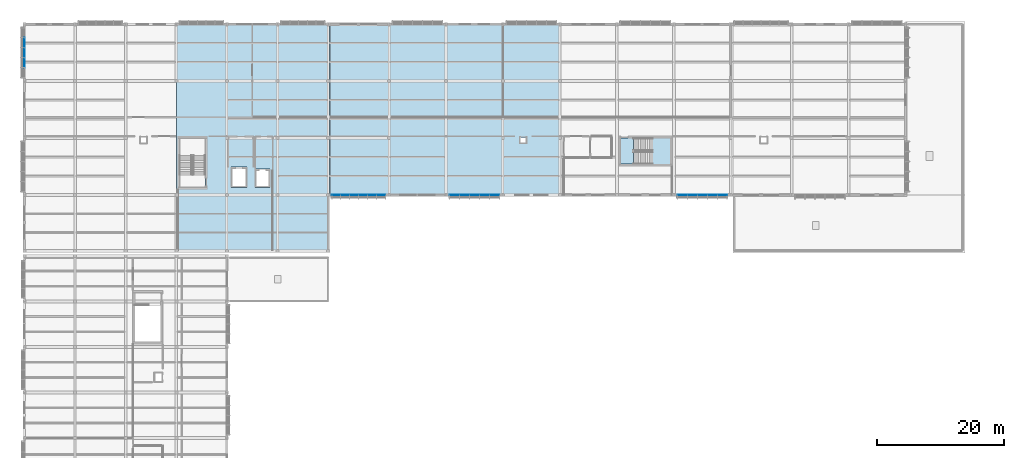
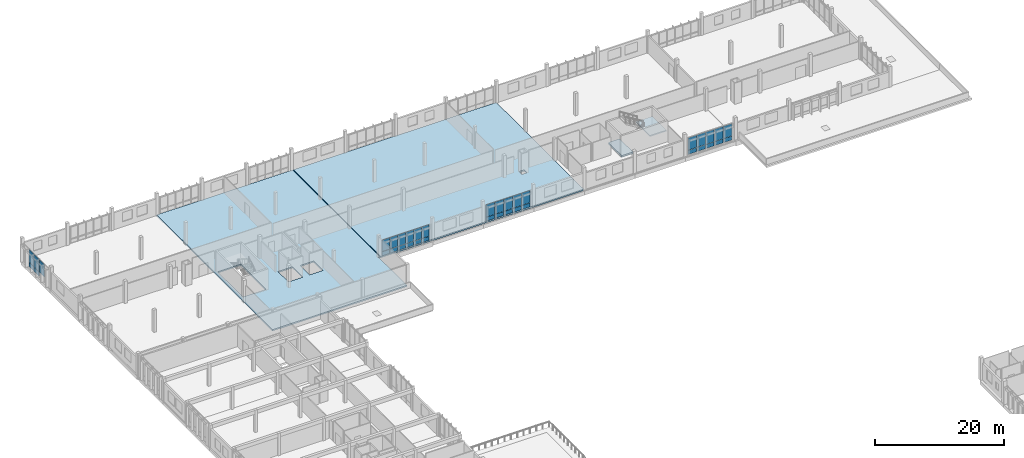
# One storey, part 81 of 107: 37 plates, 4 slabs, 5 elements without a shape of their own.
"""IFC4 building model written with IfcOpenShell, lengths in metres."""

from ifc_helpers import new_model, si_unit, direction, frame, origin, origin_2d, place, context, subcontext, project, spatial, polyline, rectangle, outline, extrude, material, layer, layer_set, type_object, element, aggregate, save


model = new_model("IFC4")

# Units and contexts
model_context = context("Model", 3, precision=1e-05, world=origin(), true_north=direction((0.0, 1.0)))
body_context = subcontext(model_context, "Body", "Model", "MODEL_VIEW")
ifc_project = project(units=[si_unit("LENGTHUNIT", "METRE"), si_unit("AREAUNIT", "SQUARE_METRE"), si_unit("VOLUMEUNIT", "CUBIC_METRE"), si_unit("PLANEANGLEUNIT", "RADIAN"), si_unit("MASSUNIT", "GRAM", prefix="KILO")], contexts=[model_context])

# Site, building, storey
site_placement = place(None, origin())
site = spatial("IfcSite", under=ifc_project, at=site_placement, CompositionType="ELEMENT")
building_placement = place(site_placement, origin())
building = spatial("IfcBuilding", under=site, at=building_placement, Name="Chiffa Square Polytechnic", CompositionType="ELEMENT")
storey_placement = place(building_placement, frame((0.0, 0.0, 13.800048828125)))
storey = spatial("IfcBuildingStorey", under=building, at=storey_placement, Name="L03", CompositionType="ELEMENT", Elevation=13.800048828125)

# Curtain wall, plates
ifc_material_1 = material(Name="Aluminium EN AW-6060 T66 and glulam shading", Category="wood")
curtain_wall_type_1 = type_object("IfcCurtainWallType", Name="CW-VERT-300X380", PredefinedType="USERDEFINED", material=ifc_material_1)
curtain_wall_1_placement = place(storey_placement, origin())
curtain_wall_1 = element("IfcCurtainWall", 1, at=curtain_wall_1_placement, inside=storey, type_object=curtain_wall_type_1, Name="Curtain wall CW-V5-L03-227", ObjectType="CURTAIN WALL", PredefinedType="USERDEFINED")
ifc_material_2 = material(Name="Double glazing", Category="glass")
ifc_layer_1 = layer(ifc_material_2, 0.0400390625, Name="Double glazing")
ifc_layer_set_1 = layer_set([ifc_layer_1], Name="Double glazing")
plate_type_1 = type_object("IfcPlateType", Name="CWP-GLZ-140X130", PredefinedType="CURTAIN_PANEL", material=ifc_layer_set_1)
plate_1_placement = place(storey_placement, frame((103.943115234375, 103.800048828125, 0.84033203125), z_axis=(0.0, 0.0, 1.0), x_axis=(1.0, 0.0, 0.0)))
plate_1 = element("IfcPlate", 2, at=plate_1_placement, type_object=plate_type_1, Name="Glazed curtain panel CW-V5-L03-227-PN01", PredefinedType="CURTAIN_PANEL", context=body_context, shape_type="SweptSolid", body=[
    extrude(rectangle(XDim=1.510009765625, YDim=0.0400390625, at=origin_2d()), origin(), (0.0, 0.0, 1.0), 2.304931640625),
])
plate_2_placement = place(storey_placement, frame((105.51611328125, 103.800048828125, 0.84033203125), z_axis=(0.0, 0.0, 1.0), x_axis=(1.0, 0.0, 0.0)))
plate_2 = element("IfcPlate", 3, at=plate_2_placement, type_object=plate_type_1, Name="Glazed curtain panel CW-V5-L03-227-PN02", PredefinedType="CURTAIN_PANEL", context=body_context, shape_type="SweptSolid", body=[
    extrude(rectangle(XDim=1.531982421875, YDim=0.0400390625, at=origin_2d()), origin(), (0.0, 0.0, 1.0), 2.304931640625),
])
plate_3_placement = place(storey_placement, frame((107.10009765625, 103.800048828125, 0.84033203125), z_axis=(0.0, 0.0, 1.0), x_axis=(1.0, 0.0, 0.0)))
plate_3 = element("IfcPlate", 4, at=plate_3_placement, type_object=plate_type_1, Name="Glazed curtain panel CW-V5-L03-227-PN03", PredefinedType="CURTAIN_PANEL", context=body_context, shape_type="SweptSolid", body=[
    extrude(rectangle(XDim=1.531982421875, YDim=0.0400390625, at=origin_2d()), origin(), (0.0, 0.0, 1.0), 2.304931640625),
])
plate_4_placement = place(storey_placement, frame((108.68408203125, 103.800048828125, 0.84033203125), z_axis=(0.0, 0.0, 1.0), x_axis=(1.0, 0.0, 0.0)))
plate_4 = element("IfcPlate", 5, at=plate_4_placement, type_object=plate_type_1, Name="Glazed curtain panel CW-V5-L03-227-PN04", PredefinedType="CURTAIN_PANEL", context=body_context, shape_type="SweptSolid", body=[
    extrude(rectangle(XDim=1.531982421875, YDim=0.0400390625, at=origin_2d()), origin(), (0.0, 0.0, 1.0), 2.304931640625),
])
plate_5_placement = place(storey_placement, frame((110.257080078125, 103.800048828125, 0.84033203125), z_axis=(0.0, 0.0, 1.0), x_axis=(1.0, 0.0, 0.0)))
plate_5 = element("IfcPlate", 6, at=plate_5_placement, type_object=plate_type_1, Name="Glazed curtain panel CW-V5-L03-227-PN05", PredefinedType="CURTAIN_PANEL", context=body_context, shape_type="SweptSolid", body=[
    extrude(rectangle(XDim=1.510009765625, YDim=0.0400390625, at=origin_2d()), origin(), (0.0, 0.0, 1.0), 2.304931640625),
])

curtain_wall_type_2 = type_object("IfcCurtainWallType", Name="CW-VERT-450X380", PredefinedType="USERDEFINED", material=ifc_material_1)
curtain_wall_2_placement = place(storey_placement, origin())
curtain_wall_2 = element("IfcCurtainWall", 7, at=curtain_wall_2_placement, inside=storey, type_object=curtain_wall_type_2, Name="Curtain wall CW-V5-L03-226", ObjectType="CURTAIN WALL", PredefinedType="USERDEFINED")
ifc_layer_2 = layer(ifc_material_2, 0.0400390625, Name="Double glazing")
ifc_layer_set_2 = layer_set([ifc_layer_2], Name="Double glazing")
plate_type_2 = type_object("IfcPlateType", Name="CWP-GLZ-144X134", PredefinedType="CURTAIN_PANEL", material=ifc_layer_set_2)
plate_6_placement = place(storey_placement, frame((67.943115234375, 103.800048828125, 0.84033203125), z_axis=(0.0, 0.0, 1.0), x_axis=(1.0, 0.0, 0.0)))
plate_6 = element("IfcPlate", 8, at=plate_6_placement, type_object=plate_type_2, Name="Glazed curtain panel CW-V5-L03-226-PN01", PredefinedType="CURTAIN_PANEL", context=body_context, shape_type="SweptSolid", body=[
    extrude(rectangle(XDim=1.510009765625, YDim=0.0400390625, at=origin_2d()), origin(), (0.0, 0.0, 1.0), 2.304931640625),
])
plate_7_placement = place(storey_placement, frame((69.51611328125, 103.800048828125, 0.84033203125), z_axis=(0.0, 0.0, 1.0), x_axis=(1.0, 0.0, 0.0)))
plate_7 = element("IfcPlate", 9, at=plate_7_placement, type_object=plate_type_2, Name="Glazed curtain panel CW-V5-L03-226-PN02", PredefinedType="CURTAIN_PANEL", context=body_context, shape_type="SweptSolid", body=[
    extrude(rectangle(XDim=1.531982421875, YDim=0.0400390625, at=origin_2d()), origin(), (0.0, 0.0, 1.0), 2.304931640625),
])
plate_8_placement = place(storey_placement, frame((71.10009765625, 103.800048828125, 0.84033203125), z_axis=(0.0, 0.0, 1.0), x_axis=(1.0, 0.0, 0.0)))
plate_8 = element("IfcPlate", 10, at=plate_8_placement, type_object=plate_type_2, Name="Glazed curtain panel CW-V5-L03-226-PN03", PredefinedType="CURTAIN_PANEL", context=body_context, shape_type="SweptSolid", body=[
    extrude(rectangle(XDim=1.531982421875, YDim=0.0400390625, at=origin_2d()), origin(), (0.0, 0.0, 1.0), 2.304931640625),
])
plate_9_placement = place(storey_placement, frame((72.68408203125, 103.800048828125, 0.84033203125), z_axis=(0.0, 0.0, 1.0), x_axis=(1.0, 0.0, 0.0)))
plate_9 = element("IfcPlate", 11, at=plate_9_placement, type_object=plate_type_2, Name="Glazed curtain panel CW-V5-L03-226-PN04", PredefinedType="CURTAIN_PANEL", context=body_context, shape_type="SweptSolid", body=[
    extrude(rectangle(XDim=1.531982421875, YDim=0.0400390625, at=origin_2d()), origin(), (0.0, 0.0, 1.0), 2.304931640625),
])
plate_10_placement = place(storey_placement, frame((74.257080078125, 103.800048828125, 0.84033203125), z_axis=(0.0, 0.0, 1.0), x_axis=(1.0, 0.0, 0.0)))
plate_10 = element("IfcPlate", 12, at=plate_10_placement, type_object=plate_type_2, Name="Glazed curtain panel CW-V5-L03-226-PN05", PredefinedType="CURTAIN_PANEL", context=body_context, shape_type="SweptSolid", body=[
    extrude(rectangle(XDim=1.510009765625, YDim=0.0400390625, at=origin_2d()), origin(), (0.0, 0.0, 1.0), 2.304931640625),
])

curtain_wall_type_3 = type_object("IfcCurtainWallType", Name="CW-VERT-600X440", PredefinedType="USERDEFINED", material=ifc_material_1)
curtain_wall_3_placement = place(storey_placement, origin())
curtain_wall_3 = element("IfcCurtainWall", 13, at=curtain_wall_3_placement, inside=storey, type_object=curtain_wall_type_3, Name="Curtain wall CW-V5-L03-225", ObjectType="CURTAIN WALL", PredefinedType="USERDEFINED")
ifc_layer_3 = layer(ifc_material_2, 0.0380859375, Name="Double glazing")
ifc_layer_set_3 = layer_set([ifc_layer_3], Name="Double glazing")
plate_type_3 = type_object("IfcPlateType", Name="CWP-GLZ-146X138", PredefinedType="CURTAIN_PANEL", material=ifc_layer_set_3)
plate_11_placement = place(storey_placement, frame((49.260986328125, 103.800048828125, 0.84033203125), z_axis=(0.0, 0.0, 1.0), x_axis=(1.0, 0.0, 0.0)))
plate_11 = element("IfcPlate", 14, at=plate_11_placement, type_object=plate_type_3, Name="Glazed curtain panel CW-V5-L03-225-PN01", PredefinedType="CURTAIN_PANEL", context=body_context, shape_type="SweptSolid", body=[
    extrude(rectangle(XDim=1.345947265625, YDim=0.0380859375, at=origin_2d()), origin(), (0.0, 0.0, 1.0), 2.155029296875),
])
plate_12_placement = place(storey_placement, frame((50.669921875, 103.800048828125, 0.84033203125), z_axis=(0.0, 0.0, 1.0), x_axis=(1.0, 0.0, 0.0)))
plate_12 = element("IfcPlate", 15, at=plate_12_placement, type_object=plate_type_3, Name="Glazed curtain panel CW-V5-L03-225-PN02", PredefinedType="CURTAIN_PANEL", context=body_context, shape_type="SweptSolid", body=[
    extrude(rectangle(XDim=1.367919921875, YDim=0.0380859375, at=origin_2d()), origin(), (0.0, 0.0, 1.0), 2.155029296875),
])
plate_13_placement = place(storey_placement, frame((52.090087890625, 103.800048828125, 0.84033203125), z_axis=(0.0, 0.0, 1.0), x_axis=(1.0, 0.0, 0.0)))
plate_13 = element("IfcPlate", 16, at=plate_13_placement, type_object=plate_type_3, Name="Glazed curtain panel CW-V5-L03-225-PN03", PredefinedType="CURTAIN_PANEL", context=body_context, shape_type="SweptSolid", body=[
    extrude(rectangle(XDim=1.367919921875, YDim=0.0380859375, at=origin_2d()), origin(), (0.0, 0.0, 1.0), 2.155029296875),
])
plate_14_placement = place(storey_placement, frame((53.510009765625, 103.800048828125, 0.84033203125), z_axis=(0.0, 0.0, 1.0), x_axis=(1.0, 0.0, 0.0)))
plate_14 = element("IfcPlate", 17, at=plate_14_placement, type_object=plate_type_3, Name="Glazed curtain panel CW-V5-L03-225-PN04", PredefinedType="CURTAIN_PANEL", context=body_context, shape_type="SweptSolid", body=[
    extrude(rectangle(XDim=1.367919921875, YDim=0.0380859375, at=origin_2d()), origin(), (0.0, 0.0, 1.0), 2.155029296875),
])
plate_15_placement = place(storey_placement, frame((54.929931640625, 103.800048828125, 0.84033203125), z_axis=(0.0, 0.0, 1.0), x_axis=(1.0, 0.0, 0.0)))
plate_15 = element("IfcPlate", 18, at=plate_15_placement, type_object=plate_type_3, Name="Glazed curtain panel CW-V5-L03-225-PN05", PredefinedType="CURTAIN_PANEL", context=body_context, shape_type="SweptSolid", body=[
    extrude(rectangle(XDim=1.367919921875, YDim=0.0380859375, at=origin_2d()), origin(), (0.0, 0.0, 1.0), 2.155029296875),
])
plate_16_placement = place(storey_placement, frame((56.339111328125, 103.800048828125, 0.84033203125), z_axis=(0.0, 0.0, 1.0), x_axis=(1.0, 0.0, 0.0)))
plate_16 = element("IfcPlate", 19, at=plate_16_placement, type_object=plate_type_3, Name="Glazed curtain panel CW-V5-L03-225-PN06", PredefinedType="CURTAIN_PANEL", context=body_context, shape_type="SweptSolid", body=[
    extrude(rectangle(XDim=1.345947265625, YDim=0.0380859375, at=origin_2d()), origin(), (0.0, 0.0, 1.0), 2.155029296875),
])

curtain_wall_type_4 = type_object("IfcCurtainWallType", Name="CW-VERT-540X440", PredefinedType="USERDEFINED", material=ifc_material_1)
curtain_wall_4_placement = place(storey_placement, origin())
curtain_wall_4 = element("IfcCurtainWall", 20, at=curtain_wall_4_placement, inside=storey, type_object=curtain_wall_type_4, Name="Curtain wall CW-V5-L03-239", ObjectType="CURTAIN WALL", PredefinedType="USERDEFINED")
plate_17_placement = place(storey_placement, frame((0.0, 127.884033203125, 0.84033203125), z_axis=(0.0, 0.0, 1.0), x_axis=(0.0, -1.0, 0.0)))
plate_17 = element("IfcPlate", 21, at=plate_17_placement, type_object=plate_type_3, Name="Glazed curtain panel CW-V5-L03-239-PN02", PredefinedType="CURTAIN_PANEL", context=body_context, shape_type="SweptSolid", body=[
    extrude(rectangle(XDim=1.531982421875, YDim=0.0380859375, at=origin_2d()), origin(), (0.0, 0.0, 1.0), 2.405029296875),
])
plate_18_placement = place(storey_placement, frame((0.0, 126.300048828125, 0.84033203125), z_axis=(0.0, 0.0, 1.0), x_axis=(0.0, -1.0, 0.0)))
plate_18 = element("IfcPlate", 22, at=plate_18_placement, type_object=plate_type_3, Name="Glazed curtain panel CW-V5-L03-239-PN03", PredefinedType="CURTAIN_PANEL", context=body_context, shape_type="SweptSolid", body=[
    extrude(rectangle(XDim=1.531982421875, YDim=0.0380859375, at=origin_2d()), origin(), (0.0, 0.0, 1.0), 2.405029296875),
])
plate_19_placement = place(storey_placement, frame((0.0, 124.716064453125, 0.84033203125), z_axis=(0.0, 0.0, 1.0), x_axis=(0.0, -1.0, 0.0)))
plate_19 = element("IfcPlate", 23, at=plate_19_placement, type_object=plate_type_3, Name="Glazed curtain panel CW-V5-L03-239-PN04", PredefinedType="CURTAIN_PANEL", context=body_context, shape_type="SweptSolid", body=[
    extrude(rectangle(XDim=1.531982421875, YDim=0.0380859375, at=origin_2d()), origin(), (0.0, 0.0, 1.0), 2.405029296875),
])

# Plate
ifc_material_3 = material(Name="Aluminium insulated spandrel", Category="aluminium")
ifc_layer_4 = layer(ifc_material_3, 0.068115234375, Name="Aluminium insulated spandrel")
ifc_layer_set_4 = layer_set([ifc_layer_4], Name="Aluminium insulated spandrel")
plate_type_4 = type_object("IfcPlateType", Name="CWP-SPN-140X076", PredefinedType="SHEET", material=ifc_layer_set_4)
plate_20_placement = place(storey_placement, frame((103.943115234375, 103.800048828125, 0.050048828125), z_axis=(0.0, 0.0, 1.0), x_axis=(1.0, 0.0, 0.0)))
plate_20 = element("IfcPlate", 24, at=plate_20_placement, type_object=plate_type_4, Name="Spandrel panel CW-V5-L03-227-SP01", PredefinedType="SHEET", context=body_context, shape_type="SweptSolid", body=[
    extrude(rectangle(XDim=1.510009765625, YDim=0.068115234375, at=origin_2d()), origin(), (0.0, 0.0, 1.0), 0.75),
])

plate_21_placement = place(storey_placement, frame((105.51611328125, 103.800048828125, 0.050048828125), z_axis=(0.0, 0.0, 1.0), x_axis=(1.0, 0.0, 0.0)))
plate_21 = element("IfcPlate", 25, at=plate_21_placement, type_object=plate_type_4, Name="Spandrel panel CW-V5-L03-227-SP02", PredefinedType="SHEET", context=body_context, shape_type="SweptSolid", body=[
    extrude(rectangle(XDim=1.531982421875, YDim=0.068115234375, at=origin_2d()), origin(), (0.0, 0.0, 1.0), 0.75),
])

plate_22_placement = place(storey_placement, frame((107.10009765625, 103.800048828125, 0.050048828125), z_axis=(0.0, 0.0, 1.0), x_axis=(1.0, 0.0, 0.0)))
plate_22 = element("IfcPlate", 26, at=plate_22_placement, type_object=plate_type_4, Name="Spandrel panel CW-V5-L03-227-SP03", PredefinedType="SHEET", context=body_context, shape_type="SweptSolid", body=[
    extrude(rectangle(XDim=1.531982421875, YDim=0.068115234375, at=origin_2d()), origin(), (0.0, 0.0, 1.0), 0.75),
])

plate_23_placement = place(storey_placement, frame((108.68408203125, 103.800048828125, 0.050048828125), z_axis=(0.0, 0.0, 1.0), x_axis=(1.0, 0.0, 0.0)))
plate_23 = element("IfcPlate", 27, at=plate_23_placement, type_object=plate_type_4, Name="Spandrel panel CW-V5-L03-227-SP04", PredefinedType="SHEET", context=body_context, shape_type="SweptSolid", body=[
    extrude(rectangle(XDim=1.531982421875, YDim=0.068115234375, at=origin_2d()), origin(), (0.0, 0.0, 1.0), 0.75),
])

plate_24_placement = place(storey_placement, frame((110.257080078125, 103.800048828125, 0.050048828125), z_axis=(0.0, 0.0, 1.0), x_axis=(1.0, 0.0, 0.0)))
plate_24 = element("IfcPlate", 28, at=plate_24_placement, type_object=plate_type_4, Name="Spandrel panel CW-V5-L03-227-SP05", PredefinedType="SHEET", context=body_context, shape_type="SweptSolid", body=[
    extrude(rectangle(XDim=1.510009765625, YDim=0.068115234375, at=origin_2d()), origin(), (0.0, 0.0, 1.0), 0.75),
])

aggregate(curtain_wall_1, [plate_20, plate_1, plate_21, plate_2, plate_22, plate_3, plate_23, plate_4, plate_24, plate_5])

ifc_layer_5 = layer(ifc_material_3, 0.06591796875, Name="Aluminium insulated spandrel")
ifc_layer_set_5 = layer_set([ifc_layer_5], Name="Aluminium insulated spandrel")
plate_type_5 = type_object("IfcPlateType", Name="CWP-SPN-144X078", PredefinedType="SHEET", material=ifc_layer_set_5)
plate_25_placement = place(storey_placement, frame((67.943115234375, 103.800048828125, 0.050048828125), z_axis=(0.0, 0.0, 1.0), x_axis=(1.0, 0.0, 0.0)))
plate_25 = element("IfcPlate", 29, at=plate_25_placement, type_object=plate_type_5, Name="Spandrel panel CW-V5-L03-226-SP01", PredefinedType="SHEET", context=body_context, shape_type="SweptSolid", body=[
    extrude(rectangle(XDim=1.510009765625, YDim=0.06591796875, at=origin_2d()), origin(), (0.0, 0.0, 1.0), 0.75),
])

plate_26_placement = place(storey_placement, frame((69.51611328125, 103.800048828125, 0.050048828125), z_axis=(0.0, 0.0, 1.0), x_axis=(1.0, 0.0, 0.0)))
plate_26 = element("IfcPlate", 30, at=plate_26_placement, type_object=plate_type_5, Name="Spandrel panel CW-V5-L03-226-SP02", PredefinedType="SHEET", context=body_context, shape_type="SweptSolid", body=[
    extrude(rectangle(XDim=1.531982421875, YDim=0.06591796875, at=origin_2d()), origin(), (0.0, 0.0, 1.0), 0.75),
])

plate_27_placement = place(storey_placement, frame((71.10009765625, 103.800048828125, 0.050048828125), z_axis=(0.0, 0.0, 1.0), x_axis=(1.0, 0.0, 0.0)))
plate_27 = element("IfcPlate", 31, at=plate_27_placement, type_object=plate_type_5, Name="Spandrel panel CW-V5-L03-226-SP03", PredefinedType="SHEET", context=body_context, shape_type="SweptSolid", body=[
    extrude(rectangle(XDim=1.531982421875, YDim=0.06591796875, at=origin_2d()), origin(), (0.0, 0.0, 1.0), 0.75),
])

plate_28_placement = place(storey_placement, frame((72.68408203125, 103.800048828125, 0.050048828125), z_axis=(0.0, 0.0, 1.0), x_axis=(1.0, 0.0, 0.0)))
plate_28 = element("IfcPlate", 32, at=plate_28_placement, type_object=plate_type_5, Name="Spandrel panel CW-V5-L03-226-SP04", PredefinedType="SHEET", context=body_context, shape_type="SweptSolid", body=[
    extrude(rectangle(XDim=1.531982421875, YDim=0.06591796875, at=origin_2d()), origin(), (0.0, 0.0, 1.0), 0.75),
])

plate_29_placement = place(storey_placement, frame((74.257080078125, 103.800048828125, 0.050048828125), z_axis=(0.0, 0.0, 1.0), x_axis=(1.0, 0.0, 0.0)))
plate_29 = element("IfcPlate", 33, at=plate_29_placement, type_object=plate_type_5, Name="Spandrel panel CW-V5-L03-226-SP05", PredefinedType="SHEET", context=body_context, shape_type="SweptSolid", body=[
    extrude(rectangle(XDim=1.510009765625, YDim=0.06591796875, at=origin_2d()), origin(), (0.0, 0.0, 1.0), 0.75),
])

aggregate(curtain_wall_2, [plate_25, plate_6, plate_26, plate_7, plate_27, plate_8, plate_28, plate_9, plate_29, plate_10])

ifc_layer_6 = layer(ifc_material_3, 0.06396484375, Name="Aluminium insulated spandrel")
ifc_layer_set_6 = layer_set([ifc_layer_6], Name="Aluminium insulated spandrel")
plate_type_6 = type_object("IfcPlateType", Name="CWP-SPN-146X082", PredefinedType="SHEET", material=ifc_layer_set_6)
plate_30_placement = place(storey_placement, frame((49.260986328125, 103.800048828125, 0.050048828125), z_axis=(0.0, 0.0, 1.0), x_axis=(1.0, 0.0, 0.0)))
plate_30 = element("IfcPlate", 34, at=plate_30_placement, type_object=plate_type_6, Name="Spandrel panel CW-V5-L03-225-SP01", PredefinedType="SHEET", context=body_context, shape_type="SweptSolid", body=[
    extrude(rectangle(XDim=1.345947265625, YDim=0.06396484375, at=origin_2d()), origin(), (0.0, 0.0, 1.0), 0.75),
])

plate_31_placement = place(storey_placement, frame((50.669921875, 103.800048828125, 0.050048828125), z_axis=(0.0, 0.0, 1.0), x_axis=(1.0, 0.0, 0.0)))
plate_31 = element("IfcPlate", 35, at=plate_31_placement, type_object=plate_type_6, Name="Spandrel panel CW-V5-L03-225-SP02", PredefinedType="SHEET", context=body_context, shape_type="SweptSolid", body=[
    extrude(rectangle(XDim=1.367919921875, YDim=0.06396484375, at=origin_2d()), origin(), (0.0, 0.0, 1.0), 0.75),
])

plate_32_placement = place(storey_placement, frame((52.090087890625, 103.800048828125, 0.050048828125), z_axis=(0.0, 0.0, 1.0), x_axis=(1.0, 0.0, 0.0)))
plate_32 = element("IfcPlate", 36, at=plate_32_placement, type_object=plate_type_6, Name="Spandrel panel CW-V5-L03-225-SP03", PredefinedType="SHEET", context=body_context, shape_type="SweptSolid", body=[
    extrude(rectangle(XDim=1.367919921875, YDim=0.06396484375, at=origin_2d()), origin(), (0.0, 0.0, 1.0), 0.75),
])

plate_33_placement = place(storey_placement, frame((53.510009765625, 103.800048828125, 0.050048828125), z_axis=(0.0, 0.0, 1.0), x_axis=(1.0, 0.0, 0.0)))
plate_33 = element("IfcPlate", 37, at=plate_33_placement, type_object=plate_type_6, Name="Spandrel panel CW-V5-L03-225-SP04", PredefinedType="SHEET", context=body_context, shape_type="SweptSolid", body=[
    extrude(rectangle(XDim=1.367919921875, YDim=0.06396484375, at=origin_2d()), origin(), (0.0, 0.0, 1.0), 0.75),
])

plate_34_placement = place(storey_placement, frame((54.929931640625, 103.800048828125, 0.050048828125), z_axis=(0.0, 0.0, 1.0), x_axis=(1.0, 0.0, 0.0)))
plate_34 = element("IfcPlate", 38, at=plate_34_placement, type_object=plate_type_6, Name="Spandrel panel CW-V5-L03-225-SP05", PredefinedType="SHEET", context=body_context, shape_type="SweptSolid", body=[
    extrude(rectangle(XDim=1.367919921875, YDim=0.06396484375, at=origin_2d()), origin(), (0.0, 0.0, 1.0), 0.75),
])

plate_35_placement = place(storey_placement, frame((56.339111328125, 103.800048828125, 0.050048828125), z_axis=(0.0, 0.0, 1.0), x_axis=(1.0, 0.0, 0.0)))
plate_35 = element("IfcPlate", 39, at=plate_35_placement, type_object=plate_type_6, Name="Spandrel panel CW-V5-L03-225-SP06", PredefinedType="SHEET", context=body_context, shape_type="SweptSolid", body=[
    extrude(rectangle(XDim=1.345947265625, YDim=0.06396484375, at=origin_2d()), origin(), (0.0, 0.0, 1.0), 0.75),
])

aggregate(curtain_wall_3, [plate_30, plate_11, plate_31, plate_12, plate_32, plate_13, plate_33, plate_14, plate_34, plate_15, plate_35, plate_16])

ifc_layer_7 = layer(ifc_material_3, 0.06005859375, Name="Aluminium insulated spandrel")
ifc_layer_set_7 = layer_set([ifc_layer_7], Name="Aluminium insulated spandrel")
plate_type_7 = type_object("IfcPlateType", Name="CWP-SPN-150X080", PredefinedType="SHEET", material=ifc_layer_set_7)
plate_36_placement = place(storey_placement, frame((0.0, 127.884033203125, 0.050048828125), z_axis=(0.0, 0.0, 1.0), x_axis=(0.0, -1.0, 0.0)))
plate_36 = element("IfcPlate", 40, at=plate_36_placement, type_object=plate_type_7, Name="Spandrel panel CW-V5-L03-239-SP02", PredefinedType="SHEET", context=body_context, shape_type="SweptSolid", body=[
    extrude(rectangle(XDim=1.531982421875, YDim=0.06005859375, at=origin_2d()), origin(), (0.0, 0.0, 1.0), 0.75),
])

plate_37_placement = place(storey_placement, frame((0.0, 126.300048828125, 0.050048828125), z_axis=(0.0, 0.0, 1.0), x_axis=(0.0, -1.0, 0.0)))
plate_37 = element("IfcPlate", 41, at=plate_37_placement, type_object=plate_type_7, Name="Spandrel panel CW-V5-L03-239-SP03", PredefinedType="SHEET", context=body_context, shape_type="SweptSolid", body=[
    extrude(rectangle(XDim=1.531982421875, YDim=0.06005859375, at=origin_2d()), origin(), (0.0, 0.0, 1.0), 0.75),
])

aggregate(curtain_wall_4, [plate_36, plate_17, plate_37, plate_18, plate_19])

# Slabs
ifc_material_4 = material(Name="Concrete C35/45", Category="concrete")
ifc_layer_8 = layer(ifc_material_4, 0.260009765625, Name="Concrete C35/45")
ifc_layer_set_8 = layer_set([ifc_layer_8], Name="Concrete C35/45")
slab_type_1 = type_object("IfcSlabType", Name="SLB-FLR-260", PredefinedType="FLOOR", material=ifc_layer_set_8)
slab_1_placement = place(storey_placement, frame((0.0, 0.0, -0.260009765625)))
element("IfcSlab", 42, at=slab_1_placement, inside=storey, type_object=slab_type_1, Name="V5 L03 structural slab SLB-V5-L03-039", PredefinedType="FLOOR", context=body_context, shape_type="SweptSolid", body=[
    extrude(outline(polyline([(48.0, 103.800048828125), (48.0, 95.050048828125), (24.0, 95.050048828125), (24.0, 130.800048828125), (48.25, 130.800048828125), (48.25, 103.800048828125), (48.0, 103.800048828125)]), holes=[polyline([(24.5, 105.0), (24.5, 112.800048828125), (28.60009765625, 112.800048828125), (28.60009765625, 105.0), (24.5, 105.0)]), polyline([(32.60009765625, 108.199951171875), (35.199951171875, 108.199951171875), (35.199951171875, 105.0), (32.60009765625, 105.0), (32.60009765625, 108.199951171875)]), polyline([(36.39990234375, 107.89990234375), (38.800048828125, 107.89990234375), (38.800048828125, 105.0), (36.39990234375, 105.0), (36.39990234375, 107.89990234375)])]), origin(), (0.0, 0.0, 1.0), 0.260009765625),
])
slab_2_placement = place(storey_placement, frame((0.0, 0.0, -0.260009765625)))
element("IfcSlab", 43, at=slab_2_placement, inside=storey, type_object=slab_type_1, Name="V5 L03 structural slab SLB-V5-L03-040", PredefinedType="FLOOR", context=body_context, shape_type="SweptSolid", body=[
    extrude(outline(polyline([(48.35009765625, 103.800048828125), (48.35009765625, 130.800048828125), (84.60009765625, 130.800048828125), (84.60009765625, 103.800048828125), (48.35009765625, 103.800048828125)]), holes=[polyline([(78.35009765625, 112.89990234375), (79.25, 112.89990234375), (79.25, 112.050048828125), (78.35009765625, 112.050048828125), (78.35009765625, 112.89990234375)])]), origin(), (0.0, 0.0, 1.0), 0.260009765625),
])
ifc_material_5 = material(Name="Concrete C40/50", Category="concrete")
ifc_layer_9 = layer(ifc_material_5, 0.35009765625, Name="Concrete C40/50")
ifc_layer_set_9 = layer_set([ifc_layer_9], Name="Concrete C40/50")
slab_type_2 = type_object("IfcSlabType", Name="SLB-FLR-350", PredefinedType="FLOOR", material=ifc_layer_set_9)
slab_3_placement = place(storey_placement, frame((0.0, 0.0, -0.35009765625)))
element("IfcSlab", 44, at=slab_3_placement, inside=storey, type_object=slab_type_2, Name="Stair core floor landing slab SLB-CORE-CORE-V5B-L03", PredefinedType="FLOOR", context=body_context, shape_type="SweptSolid", body=[
    extrude(outline(polyline([(94.199951171875, 108.699951171875), (96.2119140625, 108.699951171875), (96.2119140625, 112.800048828125), (94.199951171875, 112.800048828125), (94.199951171875, 108.699951171875)])), origin(), (0.0, 0.0, 1.0), 0.35009765625),
])

# Stair, slab
stair_type = type_object("IfcStairType", Name="STAIR-DOG-1950", PredefinedType="HALF_TURN_STAIR", material=ifc_material_4)
stair_placement = place(storey_placement, origin())
stair = element("IfcStair", 45, at=stair_placement, inside=storey, type_object=stair_type, Name="L03 Enclosed exit stair ST-V5B", PredefinedType="HALF_TURN_STAIR")
ifc_layer_10 = layer(ifc_material_4, 0.199951171875, Name="Concrete C35/45")
ifc_layer_set_10 = layer_set([ifc_layer_10], Name="Concrete C35/45")
slab_type_3 = type_object("IfcSlabType", Name="SLB-LND-200", PredefinedType="LANDING", material=ifc_layer_set_10)
slab_4_placement = place(storey_placement, frame((0.0, 0.0, 1.89990234375)))
slab_4 = element("IfcSlab", 46, at=slab_4_placement, type_object=slab_type_3, Name="ST-V5B landing 1", PredefinedType="LANDING", context=body_context, shape_type="SweptSolid", body=[
    extrude(outline(polyline([(99.159912109375, 108.580078125), (99.159912109375, 112.919921875), (102.1201171875, 112.919921875), (102.1201171875, 108.580078125), (99.159912109375, 108.580078125)])), origin(), (0.0, 0.0, 1.0), 0.199951171875),
])
aggregate(stair, [slab_4])

save(model, "model.ifc")
